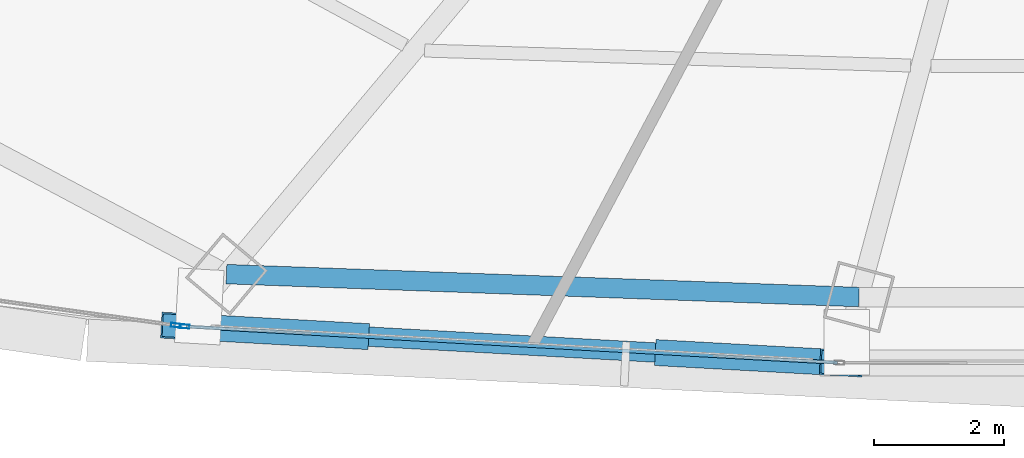
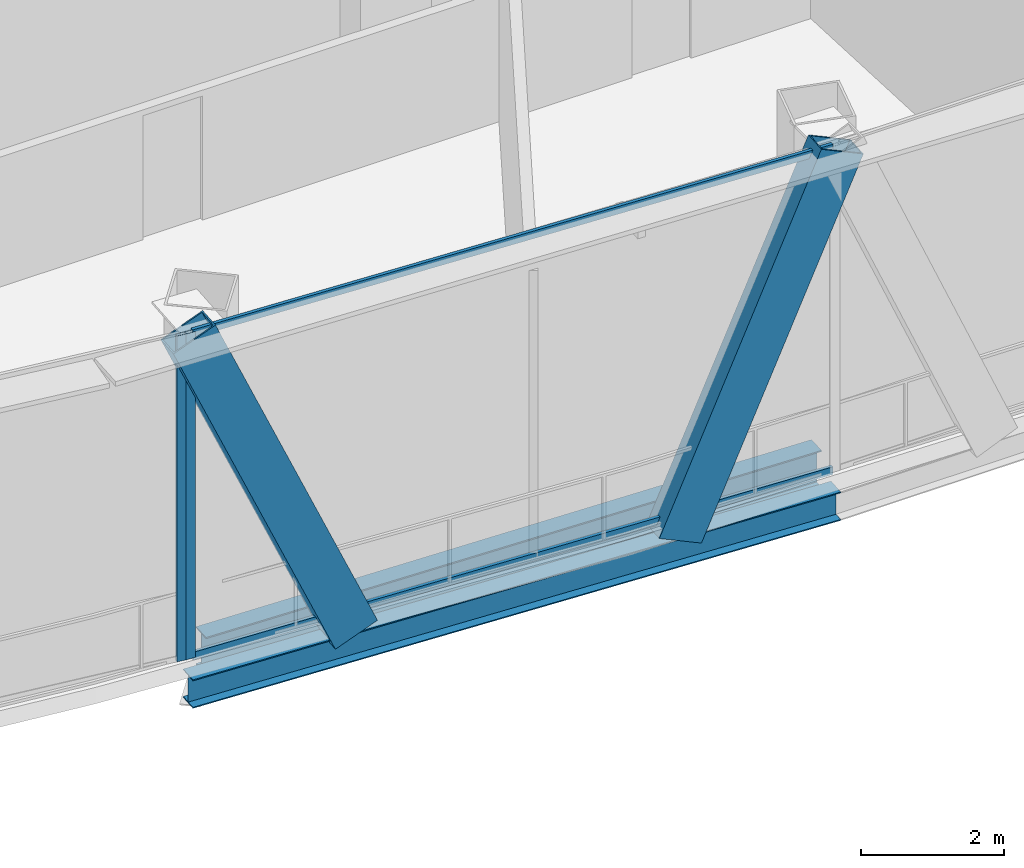
# One storey, part 6 of 38: 6 members, 2 beams, 2 elements without a shape of their own.
"""IFC4 building model written with IfcOpenShell, lengths in metres."""

import ifcopenshell
import ifcopenshell.guid

model = None  # the IFC model being written
_history = None  # IfcOwnerHistory: only IFC2X3 demands one
_inside = {}  # id of a spatial element -> (the spatial element, [elements in it])
_under = {}  # id of a project, library or spatial element -> (it, [spatial elements below it])
_declared = {}  # id of a project -> (the project, [libraries it declares])
_typed = {}  # id of a type object -> (the type object, [elements of that type])
_made_of = {}  # id of a material, layer set ... -> (it, [elements and type objects made of it])


def new_model(schema):
    """Start an empty IFC model of exactly this schema.

    Asked for "IFC4X3", IfcOpenShell would pick the latest addendum, in which some entities
    have other attributes; the version numbers below select the first issue.
    IFC2X3 requires an IfcOwnerHistory on every rooted entity: one is made here for all.
    """
    global model, _history
    if schema == "IFC4X3":
        model = ifcopenshell.file(schema_version=(4, 3, 0, 0))
    else:
        model = ifcopenshell.file(schema=schema)
    _inside.clear()
    _under.clear()
    _declared.clear()
    _typed.clear()
    _made_of.clear()
    _history = None
    if model.schema == "IFC2X3":
        org = make("IfcOrganization", Name="unknown")
        user = make(
            "IfcPersonAndOrganization",
            ThePerson=make("IfcPerson", FamilyName="unknown"),
            TheOrganization=org,
        )
        app = make(
            "IfcApplication",
            ApplicationDeveloper=org,
            Version="unknown",
            ApplicationFullName="unknown",
            ApplicationIdentifier="unknown",
        )
        _history = make(
            "IfcOwnerHistory",
            OwningUser=user,
            OwningApplication=app,
            ChangeAction="ADDED",
            CreationDate=0,
        )
    return model


def make(cls, **values):
    """One entity of the class cls with the attributes given. An attribute that is None is left unset."""
    return model.create_entity(
        cls, **{name: value for name, value in values.items() if value is not None}
    )


def rooted(cls, **values):
    """An entity with a GlobalId (a new one), such as an element, a storey or a relation."""
    return make(cls, GlobalId=ifcopenshell.guid.new(), OwnerHistory=_history, **values)


def si_unit(unit_type, name, prefix=None):
    """IfcSIUnit, for example si_unit("LENGTHUNIT", "METRE", prefix="MILLI")."""
    return make("IfcSIUnit", UnitType=unit_type, Prefix=prefix, Name=name)


def assignment(units):
    """IfcUnitAssignment: the units of a project."""
    return None if units is None else make("IfcUnitAssignment", Units=units)


def point(xyz):
    """IfcCartesianPoint."""
    return None if xyz is None else make("IfcCartesianPoint", Coordinates=xyz)


def direction(xyz):
    """IfcDirection."""
    return None if xyz is None else make("IfcDirection", DirectionRatios=xyz)


def frame(location, z_axis=None, x_axis=None):
    """IfcAxis2Placement3D, a coordinate frame: its origin and axes. An axis left out is left unset."""
    return make(
        "IfcAxis2Placement3D",
        Location=point(location),
        Axis=direction(z_axis),
        RefDirection=direction(x_axis),
    )


def frame_2d(location, x_axis=None):
    """IfcAxis2Placement2D, a coordinate frame in the plane: its origin and x axis."""
    return make(
        "IfcAxis2Placement2D", Location=point(location), RefDirection=direction(x_axis)
    )


def origin():
    """The frame at (0, 0, 0) with its axes left unset."""
    return frame((0.0, 0.0, 0.0))


def origin_2d():
    """The frame at (0, 0) in the plane with its x axis left unset."""
    return frame_2d((0.0, 0.0))


def place(relative_to, where):
    """IfcLocalPlacement: puts the frame where relative to a parent placement (None: the world)."""
    return make(
        "IfcLocalPlacement", PlacementRelTo=relative_to, RelativePlacement=where
    )


def context(
    kind, dimensions, precision=None, world=None, true_north=None, identifier=None
):
    """IfcGeometricRepresentationContext, for example the 3D "Model" context."""
    return make(
        "IfcGeometricRepresentationContext",
        ContextIdentifier=identifier,
        ContextType=kind,
        CoordinateSpaceDimension=dimensions,
        Precision=precision,
        WorldCoordinateSystem=world,
        TrueNorth=true_north,
    )


def subcontext(parent, identifier, kind, view, scale=None):
    """IfcGeometricRepresentationSubContext, for example "Body" below "Model"."""
    return make(
        "IfcGeometricRepresentationSubContext",
        ContextIdentifier=identifier,
        ContextType=kind,
        ParentContext=parent,
        TargetScale=scale,
        TargetView=view,
    )


def project(units=None, contexts=None):
    """IfcProject with its units and contexts."""
    return rooted(
        "IfcProject",
        Name="project",
        RepresentationContexts=contexts,
        UnitsInContext=assignment(units),
    )


def spatial(cls, under=None, at=None, **own):
    """A site, building, storey or space (cls), placed at a placement, below another one or the project."""
    s = rooted(cls, ObjectPlacement=at, **own)
    if under is not None:
        _under.setdefault(under.id(), (under, []))[1].append(s)
    return s


def profile(cls, at=None, kind="AREA", **sizes):
    """A parametric profile (cls). Its sizes go by their IFC names, for example OverallWidth=200.0."""
    return make(cls, ProfileType=kind, Position=at, **sizes)


def hollow_rectangle(**sizes):
    """IfcRectangleHollowProfileDef."""
    return profile("IfcRectangleHollowProfileDef", **sizes)


def i_section(**sizes):
    """IfcIShapeProfileDef."""
    return profile("IfcIShapeProfileDef", **sizes)


def extrude(swept, where, along, depth):
    """IfcExtrudedAreaSolid: the profile swept, set in the frame where, extruded along a direction by depth."""
    return make(
        "IfcExtrudedAreaSolid",
        SweptArea=swept,
        Position=where,
        ExtrudedDirection=direction(along),
        Depth=depth,
    )


def shape(context_of_items, identifier, shape_type, items):
    """IfcShapeRepresentation: the items that make up one representation, for example the "Body"."""
    return make(
        "IfcShapeRepresentation",
        ContextOfItems=context_of_items,
        RepresentationIdentifier=identifier,
        RepresentationType=shape_type,
        Items=items,
    )


def source(mapping_origin, context_of_items, identifier, shape_type, items):
    """IfcRepresentationMap: a shape defined once, which mapped items show again and again."""
    return make(
        "IfcRepresentationMap",
        MappingOrigin=mapping_origin,
        MappedRepresentation=shape(context_of_items, identifier, shape_type, items),
    )


def transform(
    local_origin,
    x_axis=None,
    y_axis=None,
    z_axis=None,
    scale=None,
    scale2=None,
    scale3=None,
    uniform=True,
):
    """IfcCartesianTransformationOperator3D, or its non-uniform kind. x_axis, y_axis, z_axis: its Axis1, 2, 3."""
    if uniform:
        return make(
            "IfcCartesianTransformationOperator3D",
            Axis1=direction(x_axis),
            Axis2=direction(y_axis),
            LocalOrigin=point(local_origin),
            Scale=scale,
            Axis3=direction(z_axis),
        )
    return make(
        "IfcCartesianTransformationOperator3DnonUniform",
        Axis1=direction(x_axis),
        Axis2=direction(y_axis),
        LocalOrigin=point(local_origin),
        Scale=scale,
        Axis3=direction(z_axis),
        Scale2=scale2,
        Scale3=scale3,
    )


def mapped(mapping_source, mapping_target):
    """IfcMappedItem: shows the shape of a source again, moved by a transform."""
    return make(
        "IfcMappedItem", MappingSource=mapping_source, MappingTarget=mapping_target
    )


def material(Name=None, Category=None):
    """IfcMaterial."""
    return make("IfcMaterial", Name=Name, Category=Category)


def layer(
    of_material, thickness, ventilated=None, Name=None, Category=None, Priority=None
):
    """IfcMaterialLayer: one layer of a wall or slab, of a material (None: an air gap)."""
    return make(
        "IfcMaterialLayer",
        Material=of_material,
        LayerThickness=thickness,
        IsVentilated=ventilated,
        Name=Name,
        Category=Category,
        Priority=Priority,
    )


def layer_set(layers, Name=None):
    """IfcMaterialLayerSet."""
    return make("IfcMaterialLayerSet", MaterialLayers=layers, LayerSetName=Name)


def material_profile(
    of_material, cross_section, Name=None, Category=None, Priority=None
):
    """IfcMaterialProfile: a cross section and its material."""
    return make(
        "IfcMaterialProfile",
        Name=Name,
        Material=of_material,
        Profile=cross_section,
        Priority=Priority,
        Category=Category,
    )


def profile_set(profiles, Name=None, composite=None):
    """IfcMaterialProfileSet."""
    return make(
        "IfcMaterialProfileSet",
        Name=Name,
        MaterialProfiles=profiles,
        CompositeProfile=composite,
    )


def made_of(thing, what):
    """Note that an element or type object is made of a material, layer set ...; save() writes the relation."""
    if what is not None:
        _made_of.setdefault(what.id(), (what, []))[1].append(thing)
    return thing


def type_object(cls, material=None, **own):
    """A type object (cls), such as IfcWallType, which elements share."""
    return made_of(rooted(cls, **own), material)


def element(
    cls,
    number,
    at=None,
    inside=None,
    cuts=None,
    type_object=None,
    material=None,
    context=None,
    identifier="Body",
    shape_type=None,
    held_by="IfcProductDefinitionShape",
    body=None,
    shapes=None,
    **own,
):
    """One element of the class cls, such as IfcWall. Its Tag is "e" and its number.

    at: its placement. inside: the storey or other place that contains it. cuts: it is an
    opening in that element (IfcRelVoidsElement). A single representation is given by context,
    identifier, shape_type and body (its items); several are given by shapes. held_by: the class
    of the entity that holds the representations. save() writes the other relations.
    """
    e = rooted(cls, Tag="e%d" % number, ObjectPlacement=at, **own)
    if body is not None:
        shapes = [shape(context, identifier, shape_type, body)]
    if shapes is not None:
        e.Representation = make(held_by, Representations=shapes)
    if inside is not None:
        _inside.setdefault(inside.id(), (inside, []))[1].append(e)
    if cuts is not None:
        rooted(
            "IfcRelVoidsElement", RelatingBuildingElement=cuts, RelatedOpeningElement=e
        )
    if type_object is not None:
        _typed.setdefault(type_object.id(), (type_object, []))[1].append(e)
    return made_of(e, material)


def aggregate(whole, parts):
    """IfcRelAggregates: a whole, such as a stair, and the parts it consists of."""
    return rooted("IfcRelAggregates", RelatingObject=whole, RelatedObjects=parts)


def save(model, path):
    """Write the relations noted so far, then the file.

    IfcRelAggregates (storeys below a building ...), IfcRelContainedInSpatialStructure (elements
    in a storey), IfcRelDefinesByType, IfcRelAssociatesMaterial and IfcRelDeclares: one each for
    every whole, place, type object, material and project.
    """
    for whole, parts in _under.values():
        aggregate(whole, parts)
    for where, things in _inside.values():
        rooted(
            "IfcRelContainedInSpatialStructure",
            RelatedElements=things,
            RelatingStructure=where,
        )
    for kind, things in _typed.values():
        rooted("IfcRelDefinesByType", RelatedObjects=things, RelatingType=kind)
    for what, things in _made_of.values():
        rooted("IfcRelAssociatesMaterial", RelatedObjects=things, RelatingMaterial=what)
    for by, libraries in _declared.values():
        rooted("IfcRelDeclares", RelatingContext=by, RelatedDefinitions=libraries)
    model.write(path)


model = new_model("IFC4")

# Units and contexts
model_context = context("Model", 3, precision=1e-05, world=origin(), true_north=direction((0.0, 1.0)))
body_context = subcontext(model_context, "Body", "Model", "MODEL_VIEW")
ifc_project = project(units=[si_unit("LENGTHUNIT", "METRE"), si_unit("AREAUNIT", "SQUARE_METRE"), si_unit("VOLUMEUNIT", "CUBIC_METRE"), si_unit("PLANEANGLEUNIT", "RADIAN"), si_unit("MASSUNIT", "GRAM", prefix="KILO"), si_unit("THERMODYNAMICTEMPERATUREUNIT", "KELVIN"), si_unit("POWERUNIT", "WATT")], contexts=[model_context])

# Site, building, storey
site_placement = place(None, origin())
site = spatial("IfcSite", under=ifc_project, at=site_placement, CompositionType="ELEMENT")
building_placement = place(site_placement, origin())
building = spatial("IfcBuilding", under=site, at=building_placement, Name="Yunzhuo Pagoda Commons", CompositionType="ELEMENT")
storey_placement = place(building_placement, frame((0.0, 0.0, 218.9599609375)))
storey = spatial("IfcBuildingStorey", under=building, at=storey_placement, Name="L55", CompositionType="ELEMENT", Elevation=218.9599609375)

# Beams
ifc_material_1 = material(Name="Structural steel Q355B", Category="steel")
ifc_material_profile_1 = material_profile(ifc_material_1, i_section(OverallWidth=0.300048828125, OverallDepth=0.64990234375, WebThickness=0.012939453125, FlangeThickness=0.02197265625, at=origin_2d()), Name="Structural steel Q355B")
ifc_profile_set_1 = profile_set([ifc_material_profile_1], Name="Structural steel Q355B")
beam_type_1 = type_object("IfcBeamType", Name="B-RG2 Beam HN 650x300x13x22", PredefinedType="BEAM", material=ifc_profile_set_1)
shared_shape_1 = source(origin(), body_context, "Body", "SweptSolid", [
    extrude(i_section(OverallWidth=0.300048828125, OverallDepth=0.64990234375, WebThickness=0.012939453125, FlangeThickness=0.02197265625, at=origin_2d()), origin(), (0.0, 0.0, 1.0), 9.755126953125),
])
beam_1_placement = place(storey_placement, frame((33.538818359375, 16.4658203125, -0.604736328125), z_axis=(0.999343161351, -0.036238734258, 0.0), x_axis=(0.036238734258, 0.999343161351, 0.0)))
element("IfcBeam", 1, at=beam_1_placement, inside=storey, type_object=beam_type_1, Name="L55 column-ring beam 1", PredefinedType="BEAM", context=body_context, shape_type="MappedRepresentation", body=[
    mapped(shared_shape_1, transform((0.0, 0.0, 0.0), scale=1.0)),
])
ifc_material_profile_2 = material_profile(ifc_material_1, i_section(OverallWidth=0.300048828125, OverallDepth=0.488037109375, WebThickness=0.010986328125, FlangeThickness=0.01806640625, at=origin_2d()), Name="Structural steel Q355B")
ifc_profile_set_2 = profile_set([ifc_material_profile_2], Name="Structural steel Q355B")
beam_type_2 = type_object("IfcBeamType", Name="B-SP1 Beam HM 488x300x11x18", PredefinedType="BEAM", material=ifc_profile_set_2)
shared_shape_2 = source(origin(), body_context, "Body", "SweptSolid", [
    extrude(i_section(OverallWidth=0.300048828125, OverallDepth=0.488037109375, WebThickness=0.010986328125, FlangeThickness=0.01806640625, at=origin_2d()), origin(), (0.0, 0.0, 1.0), 10.167236328125),
])
beam_2_placement = place(storey_placement, frame((32.864013671875, 15.66162109375, -0.52392578125), z_axis=(0.998461756691, -0.055444751117, 0.0), x_axis=(0.055444751117, 0.998461756691, 0.0)))
element("IfcBeam", 2, at=beam_2_placement, inside=storey, type_object=beam_type_2, Name="L55 facade edge spandrel beam F1.1", PredefinedType="BEAM", context=body_context, shape_type="MappedRepresentation", body=[
    mapped(shared_shape_2, transform((0.0, 0.0, 0.0), scale=1.0)),
])

# Members
ifc_material_profile_3 = material_profile(ifc_material_1, hollow_rectangle(XDim=0.39990234375, YDim=0.719970703125, WallThickness=0.02392578125, at=origin_2d()), Name="Structural steel Q355B")
ifc_profile_set_3 = profile_set([ifc_material_profile_3], Name="Structural steel Q355B")
member_type_1 = type_object("IfcMemberType", Name="M-DL2 Brace BOX 720x400x24", PredefinedType="BRACE", material=ifc_profile_set_3)
shared_shape_3 = source(origin(), body_context, "Body", "SweptSolid", [
    extrude(hollow_rectangle(XDim=0.39990234375, YDim=0.719970703125, WallThickness=0.02392578125, at=origin_2d()), origin(), (0.0, 0.0, 1.0), 6.37841796875),
])
for number, where, z_axis, x_axis, name in (
    (3, (35.402099609375, 15.5205078125, -0.280029296875), (-0.397911817053, 0.02212322338, 0.917156883438), (-0.055512573794, -0.998457988175, 0.0), "L55 facade diamond brace F1.1L"),
    (4, (40.477783203125, 15.239013671875, -0.280029296875), (0.397879601145, -0.022123560314, 0.917170851625), (0.05551789765, 0.998457692164, 0.0), "L55 facade diamond brace F1.1R"),
):
    element("IfcMember", number, at=place(storey_placement, frame(where, z_axis=z_axis, x_axis=x_axis)), inside=storey, type_object=member_type_1, Name=name, PredefinedType="BRACE", context=body_context, shape_type="MappedRepresentation", body=[
        mapped(shared_shape_3, transform((0.0, 0.0, 0.0), scale=1.0)),
    ])

# Curtain wall, member
ifc_material_2 = material(Name="Anodized aluminium 6063-T6", Category="aluminium")
ifc_layer = layer(ifc_material_2, 0.14990234375)
ifc_layer_set = layer_set([ifc_layer], Name="Anodized aluminium 6063-T6")
curtain_wall_type = type_object("IfcCurtainWallType", Name="CW-MID Mid-Zone Ribbon Curtain Wall", PredefinedType="NOTDEFINED", material=ifc_layer_set)
curtain_wall_1_placement = place(storey_placement, origin())
curtain_wall_1 = element("IfcCurtainWall", 5, at=curtain_wall_1_placement, inside=storey, type_object=curtain_wall_type, Name="L55 curtain wall CW-L55-F1B2", PredefinedType="NOTDEFINED")
ifc_material_profile_4 = material_profile(ifc_material_2, hollow_rectangle(XDim=0.06005859375, YDim=0.14990234375, WallThickness=0.00390625, at=origin_2d()), Name="Anodized aluminium 6063-T6")
ifc_profile_set_4 = profile_set([ifc_material_profile_4], Name="Anodized aluminium 6063-T6")
member_type_2 = type_object("IfcMemberType", Name="CW-MID-M Mullion RHS 150x60x4", PredefinedType="MULLION", material=ifc_profile_set_4)
shared_shape_4 = source(origin(), body_context, "Body", "SweptSolid", [
    extrude(hollow_rectangle(XDim=0.06005859375, YDim=0.14990234375, WallThickness=0.00390625, at=origin_2d()), origin(), (0.0, 0.0, 1.0), 5.570068359375),
])
member_1_placement = place(storey_placement, frame((32.893798828125, 15.659912109375, 0.0), z_axis=(0.0, 0.0, 1.0), x_axis=(0.055422627941, 0.998462984948, 0.0)))
member_1 = element("IfcMember", 6, at=member_1_placement, type_object=member_type_2, Name="CW mullion 1", PredefinedType="MULLION", context=body_context, shape_type="MappedRepresentation", body=[
    mapped(shared_shape_4, transform((0.0, 0.0, 0.0), scale=1.0)),
])

curtain_wall_2_placement = place(storey_placement, origin())
curtain_wall_2 = element("IfcCurtainWall", 7, at=curtain_wall_2_placement, inside=storey, type_object=curtain_wall_type, Name="L55 curtain wall CW-L55-F1B1", PredefinedType="NOTDEFINED")
member_2_placement = place(storey_placement, frame((32.760009765625, 15.676025390625, 0.0), z_axis=(0.0, 0.0, 1.0), x_axis=(0.138332060232, 0.990385905146, 0.0)))
member_2 = element("IfcMember", 8, at=member_2_placement, type_object=member_type_2, Name="CW mullion 2", PredefinedType="MULLION", context=body_context, shape_type="MappedRepresentation", body=[
    mapped(shared_shape_4, transform((0.0, 0.0, 0.0), scale=1.0)),
])
aggregate(curtain_wall_2, [member_2])

# Member
ifc_material_profile_5 = material_profile(ifc_material_2, hollow_rectangle(XDim=0.054931640625, YDim=0.1298828125, WallThickness=0.00341796875, at=origin_2d()), Name="Anodized aluminium 6063-T6")
ifc_profile_set_5 = profile_set([ifc_material_profile_5], Name="Anodized aluminium 6063-T6")
member_type_3 = type_object("IfcMemberType", Name="CW-MID-T Transom RHS 130x55x3.5", PredefinedType="USERDEFINED", material=ifc_profile_set_5)
shared_shape_5 = source(origin(), body_context, "Body", "SweptSolid", [
    extrude(hollow_rectangle(XDim=0.054931640625, YDim=0.1298828125, WallThickness=0.00341796875, at=origin_2d()), origin(), (0.0, 0.0, 1.0), 10.047607421875),
])
member_3_placement = place(storey_placement, frame((32.923828125, 15.658203125, 0.027587890625), z_axis=(0.998462894126, -0.055424264127, 0.0), x_axis=(0.055424264127, 0.998462894126, 0.0)))
member_3 = element("IfcMember", 9, at=member_3_placement, type_object=member_type_3, Name="CW transom 1.1", ObjectType="TRANSOM", PredefinedType="USERDEFINED", context=body_context, shape_type="MappedRepresentation", body=[
    mapped(shared_shape_5, transform((0.0, 0.0, 0.0), scale=1.0)),
])

member_4_placement = place(storey_placement, frame((32.923828125, 15.658203125, 5.54248046875), z_axis=(0.998462894126, -0.055424264127, 0.0), x_axis=(0.055424264127, 0.998462894126, 0.0)))
member_4 = element("IfcMember", 10, at=member_4_placement, type_object=member_type_3, Name="CW transom 1.2", ObjectType="TRANSOM", PredefinedType="USERDEFINED", context=body_context, shape_type="MappedRepresentation", body=[
    mapped(shared_shape_5, transform((0.0, 0.0, 0.0), scale=1.0)),
])

aggregate(curtain_wall_1, [member_1, member_3, member_4])

save(model, "model.ifc")
